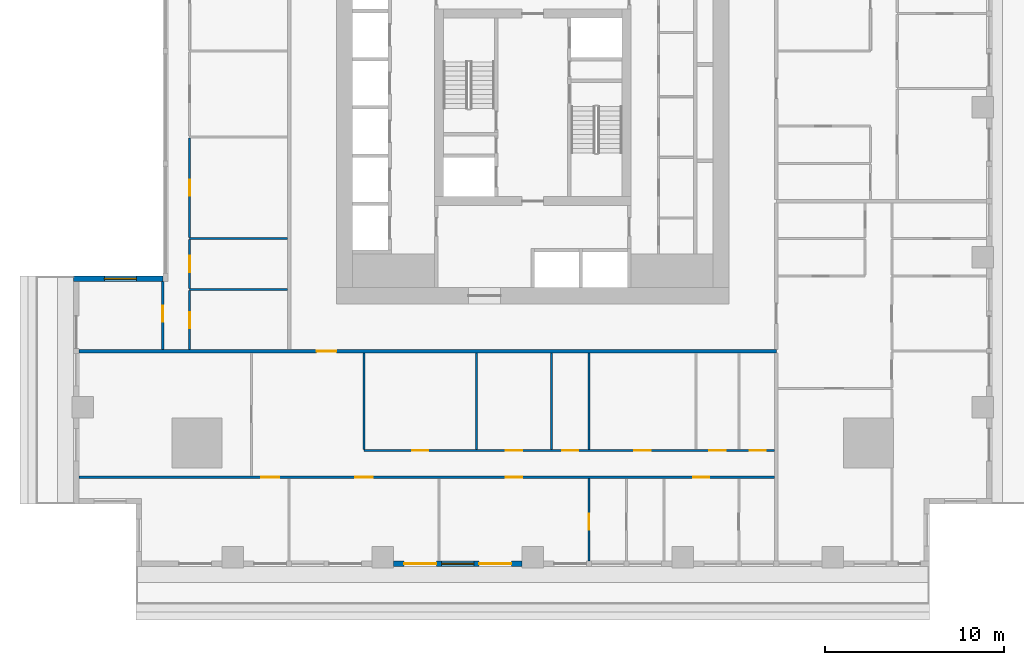
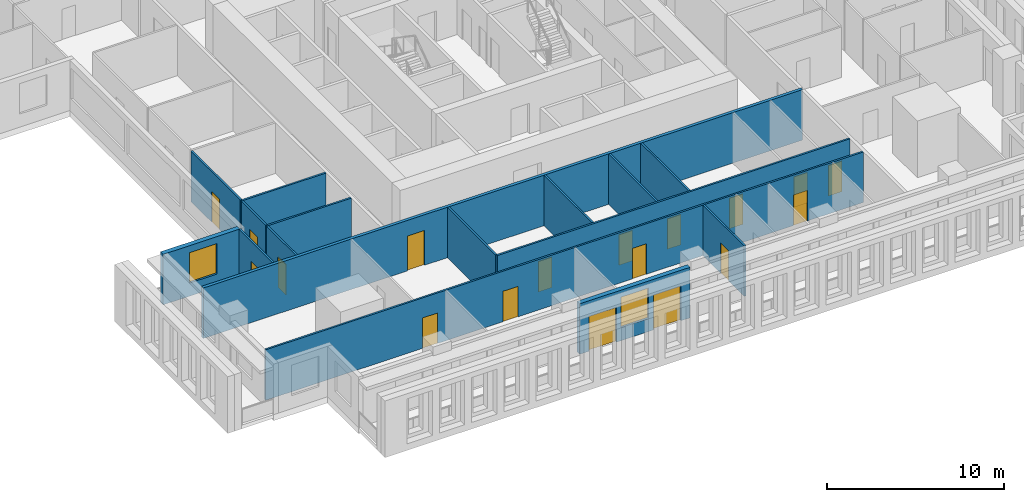
# One storey, part 2 of 14: 18 doors, 16 walls, 2 windows, 20 openings.
"""IFC4 building model written with IfcOpenShell, lengths in metres."""

from ifc_helpers import new_model, si_unit, direction, frame, frame_2d, origin, place, context, subcontext, project, spatial, rectangle, extrude, material, layer, layer_set, type_object, element, fill, save


model = new_model("IFC4")

# Units and contexts
model_context = context("Model", 3, precision=1e-05, world=origin(), true_north=direction((0.0, 1.0)))
body_context = subcontext(model_context, "Body", "Model", "MODEL_VIEW")
ifc_project = project(units=[si_unit("LENGTHUNIT", "METRE"), si_unit("AREAUNIT", "SQUARE_METRE"), si_unit("VOLUMEUNIT", "CUBIC_METRE"), si_unit("PLANEANGLEUNIT", "RADIAN"), si_unit("MASSUNIT", "GRAM", prefix="KILO")], contexts=[model_context])

# Site, building, storey
site_placement = place(None, origin())
site = spatial("IfcSite", under=ifc_project, at=site_placement, CompositionType="ELEMENT")
building_placement = place(site_placement, origin())
building = spatial("IfcBuilding", under=site, at=building_placement, Name="Khepri Terraces", CompositionType="ELEMENT")
storey_placement = place(building_placement, frame((0.0, 0.0, 106.5)))
storey = spatial("IfcBuildingStorey", under=building, at=storey_placement, Name="L25", CompositionType="ELEMENT", Elevation=106.5)

# Wall, opening, door
ifc_material_1 = material(Name="Fire-rated gypsum plasterboard partition, mineral wool")
ifc_layer_1 = layer(ifc_material_1, 0.199951171875, Name="Fire-rated gypsum plasterboard partition, mineral wool")
ifc_layer_set_1 = layer_set([ifc_layer_1], Name="Fire-rated gypsum plasterboard partition, mineral wool")
wall_type_1 = type_object("IfcWallType", Name="WL-CORR-200", PredefinedType="PARTITIONING", material=ifc_layer_set_1)
wall_1_placement = place(storey_placement, frame((-25.419921875, -13.64990234375, 0.0), z_axis=(0.0, 0.0, 1.0), x_axis=(1.0, 0.0, 0.0)))
wall_1 = element("IfcWall", 1, at=wall_1_placement, inside=storey, type_object=wall_type_1, Name="Partition P-021 L25", PredefinedType="PARTITIONING", context=body_context, shape_type="SweptSolid", body=[
    extrude(rectangle(XDim=39.06982421875, YDim=0.199951171875, at=frame_2d((19.534912109375, 0.0))), origin(), (0.0, 0.0, 1.0), 3.47998046875),
])
opening_1_placement = place(wall_1_placement, frame((13.320068359375, 0.0, 0.0)))
opening_1 = element("IfcOpeningElement", 2, at=opening_1_placement, cuts=wall_1, Name="Opening D1", PredefinedType="OPENING", context=body_context, shape_type="SweptSolid", body=[
    extrude(rectangle(XDim=1.10009765625, YDim=2.39990234375, at=frame_2d((0.550048828125, 1.199951171875))), frame((0.0, 0.10986328125, 0.0), z_axis=(0.0, -1.0, 0.0), x_axis=(1.0, 0.0, 0.0)), (0.0, 0.0, 1.0), 0.219970703125),
])
ifc_material_2 = material(Name="Solid-core timber door leaf, flat entrance door", Category="wood")
door_type_1 = type_object("IfcDoorType", Name="DR-ENT-1100", OperationType="NOTDEFINED", PredefinedType="DOOR", material=ifc_material_2)
door_1_placement = place(opening_1_placement, frame((1.10009765625, 0.0, 0.0), z_axis=(0.0, 0.0, 1.0), x_axis=(-1.0, 0.0, 0.0)))
door_1 = element("IfcDoor", 3, at=door_1_placement, inside=storey, type_object=door_type_1, Name="Flat A1 entrance door", OperationType="SINGLE_SWING_RIGHT", OverallHeight=2.39990234375, OverallWidth=1.10009765625, PredefinedType="DOOR", context=body_context, shape_type="SweptSolid", body=[
    extrude(rectangle(XDim=1.10009765625, YDim=2.39990234375, at=frame_2d((0.550048828125, 1.199951171875))), frame((0.0, 0.02490234375, 0.0), z_axis=(0.0, -1.0, 0.0), x_axis=(1.0, 0.0, 0.0)), (0.0, 0.0, 1.0), 0.050048828125),
])
fill(opening_1, door_1)

# Wall, opening, window
ifc_material_3 = material(Name="Precast concrete C50/60 warm stone", Category="masonry")
ifc_layer_2 = layer(ifc_material_3, 0.300048828125, Name="Precast concrete C50/60 warm stone", Category="masonry")
ifc_layer_set_2 = layer_set([ifc_layer_2], Name="Precast concrete C50/60 warm stone")
wall_type_2 = type_object("IfcWallType", Name="WL-EXT-PRECAST-300", PredefinedType="STANDARD", material=ifc_layer_set_2)
wall_2_placement = place(storey_placement, frame((-20.719970703125, -9.60009765625, 0.0), z_axis=(0.0, 0.0, 1.0), x_axis=(-1.0, 0.0, 0.0)))
wall_2 = element("IfcWall", 4, at=wall_2_placement, inside=storey, type_object=wall_type_2, Name="External wall L25 N", PredefinedType="STANDARD", context=body_context, shape_type="SweptSolid", body=[
    extrude(rectangle(XDim=5.0, YDim=0.300048828125, at=frame_2d((2.5, 0.0))), origin(), (0.0, 0.0, 1.0), 3.47998046875),
])
opening_2_placement = place(wall_2_placement, frame((1.47998046875, 0.0, 0.89990234375)))
opening_2 = element("IfcOpeningElement", 5, at=opening_2_placement, cuts=wall_2, Name="Opening W1", PredefinedType="OPENING", context=body_context, shape_type="SweptSolid", body=[
    extrude(rectangle(XDim=1.800048828125, YDim=2.10009765625, at=frame_2d((0.89990234375, 1.050048828125))), frame((0.0, 0.16015625, 0.0), z_axis=(0.0, -1.0, 0.0), x_axis=(1.0, 0.0, 0.0)), (0.0, 0.0, 1.0), 0.320068359375),
])
ifc_material_4 = material(Name="Clear glass", Category="glass")
window_type = type_object("IfcWindowType", Name="WIN-RES-1800x2100", PartitioningType="SINGLE_PANEL", PredefinedType="WINDOW", material=ifc_material_4)
window_1_placement = place(opening_2_placement, origin())
window_1 = element("IfcWindow", 6, at=window_1_placement, inside=storey, type_object=window_type, Name="Window L25 N", OverallHeight=2.10009765625, OverallWidth=1.800048828125, PartitioningType="SINGLE_PANEL", PredefinedType="WINDOW", context=body_context, shape_type="SweptSolid", body=[
    extrude(rectangle(XDim=1.800048828125, YDim=2.10009765625, at=frame_2d((0.89990234375, 1.050048828125))), frame((0.0, 0.030029296875, 0.0), z_axis=(0.0, -1.0, 0.0), x_axis=(1.0, 0.0, 0.0)), (0.0, 0.0, 1.0), 0.06005859375),
])
fill(opening_2, window_1)

# Wall, openings, doors, window
wall_3_placement = place(storey_placement, frame((-7.800048828125, -25.570068359375, 0.0), z_axis=(0.0, 0.0, 1.0), x_axis=(1.0, 0.0, 0.0)))
wall_3 = element("IfcWall", 7, at=wall_3_placement, inside=storey, type_object=wall_type_2, Name="External wall L25 S", PredefinedType="STANDARD", context=body_context, shape_type="SweptSolid", body=[
    extrude(rectangle(XDim=7.199951171875, YDim=0.300048828125, at=frame_2d((3.60009765625, 0.0))), origin(), (0.0, 0.0, 1.0), 3.47998046875),
])
opening_3_placement = place(wall_3_placement, frame((0.60009765625, 0.0, 0.0)))
opening_3 = element("IfcOpeningElement", 8, at=opening_3_placement, cuts=wall_3, Name="Opening ED-L25-19", PredefinedType="OPENING", context=body_context, shape_type="SweptSolid", body=[
    extrude(rectangle(XDim=1.800048828125, YDim=2.39990234375, at=frame_2d((0.89990234375, 1.199951171875))), frame((0.0, 0.16015625, 0.0), z_axis=(0.0, -1.0, 0.0), x_axis=(1.0, 0.0, 0.0)), (0.0, 0.0, 1.0), 0.320068359375),
])
opening_4_placement = place(wall_3_placement, frame((2.699951171875, 0.0, 0.89990234375)))
opening_4 = element("IfcOpeningElement", 9, at=opening_4_placement, cuts=wall_3, Name="Opening W1", PredefinedType="OPENING", context=body_context, shape_type="SweptSolid", body=[
    extrude(rectangle(XDim=1.800048828125, YDim=2.10009765625, at=frame_2d((0.89990234375, 1.050048828125))), frame((0.0, 0.16015625, 0.0), z_axis=(0.0, -1.0, 0.0), x_axis=(1.0, 0.0, 0.0)), (0.0, 0.0, 1.0), 0.320068359375),
])
opening_5_placement = place(wall_3_placement, frame((4.800048828125, 0.0, 0.0)))
opening_5 = element("IfcOpeningElement", 10, at=opening_5_placement, cuts=wall_3, Name="Opening ED-L25-20", PredefinedType="OPENING", context=body_context, shape_type="SweptSolid", body=[
    extrude(rectangle(XDim=1.800048828125, YDim=2.39990234375, at=frame_2d((0.89990234375, 1.199951171875))), frame((0.0, 0.16015625, 0.0), z_axis=(0.0, -1.0, 0.0), x_axis=(1.0, 0.0, 0.0)), (0.0, 0.0, 1.0), 0.320068359375),
])
ifc_material_5 = material(Name="Anodised aluminium bronze glazed door", Category="aluminium")
door_type_2 = type_object("IfcDoorType", Name="DR-BAL-SLIDE-1800x2400", OperationType="NOTDEFINED", PredefinedType="DOOR", material=ifc_material_5)
door_2_placement = place(opening_3_placement, origin())
door_2 = element("IfcDoor", 11, at=door_2_placement, inside=storey, type_object=door_type_2, Name="Balcony door L25 S", OperationType="SLIDING_TO_LEFT", OverallHeight=2.39990234375, OverallWidth=1.800048828125, PredefinedType="DOOR", context=body_context, shape_type="SweptSolid", body=[
    extrude(rectangle(XDim=1.800048828125, YDim=2.39990234375, at=frame_2d((0.89990234375, 1.199951171875))), frame((0.0, 0.02490234375, 0.0), z_axis=(0.0, -1.0, 0.0), x_axis=(1.0, 0.0, 0.0)), (0.0, 0.0, 1.0), 0.050048828125),
])
fill(opening_3, door_2)
door_3_placement = place(opening_5_placement, origin())
door_3 = element("IfcDoor", 12, at=door_3_placement, inside=storey, type_object=door_type_2, Name="Balcony door L25 S", OperationType="SLIDING_TO_RIGHT", OverallHeight=2.39990234375, OverallWidth=1.800048828125, PredefinedType="DOOR", context=body_context, shape_type="SweptSolid", body=[
    extrude(rectangle(XDim=1.800048828125, YDim=2.39990234375, at=frame_2d((0.89990234375, 1.199951171875))), frame((0.0, 0.02490234375, 0.0), z_axis=(0.0, -1.0, 0.0), x_axis=(1.0, 0.0, 0.0)), (0.0, 0.0, 1.0), 0.050048828125),
])
fill(opening_5, door_3)
window_2_placement = place(opening_4_placement, origin())
window_2 = element("IfcWindow", 13, at=window_2_placement, inside=storey, type_object=window_type, Name="Window L25 S", OverallHeight=2.10009765625, OverallWidth=1.800048828125, PartitioningType="SINGLE_PANEL", PredefinedType="WINDOW", context=body_context, shape_type="SweptSolid", body=[
    extrude(rectangle(XDim=1.800048828125, YDim=2.10009765625, at=frame_2d((0.89990234375, 1.050048828125))), frame((0.0, 0.030029296875, 0.0), z_axis=(0.0, -1.0, 0.0), x_axis=(1.0, 0.0, 0.0)), (0.0, 0.0, 1.0), 0.06005859375),
])
fill(opening_4, window_2)

# Wall, opening, door
ifc_material_6 = material(Name="Gypsum plasterboard partition")
ifc_layer_3 = layer(ifc_material_6, 0.1201171875, Name="Gypsum plasterboard partition")
ifc_layer_set_3 = layer_set([ifc_layer_3], Name="Gypsum plasterboard partition")
wall_type_3 = type_object("IfcWallType", Name="WL-PART-120", PredefinedType="PARTITIONING", material=ifc_layer_set_3)
wall_4_placement = place(storey_placement, frame((3.14990234375, -25.419921875, 0.0), z_axis=(0.0, 0.0, 1.0), x_axis=(0.0, 1.0, 0.0)))
wall_4 = element("IfcWall", 14, at=wall_4_placement, inside=storey, type_object=wall_type_3, Name="Partition P-003 L25", PredefinedType="PARTITIONING", context=body_context, shape_type="SweptSolid", body=[
    extrude(rectangle(XDim=4.639892578125, YDim=0.1201171875, at=frame_2d((2.31982421875, 0.0))), origin(), (0.0, 0.0, 1.0), 3.47998046875),
])
opening_6_placement = place(wall_4_placement, frame((1.75, 0.0, 0.0)))
opening_6 = element("IfcOpeningElement", 15, at=opening_6_placement, cuts=wall_4, Name="Opening D3", PredefinedType="OPENING", context=body_context, shape_type="SweptSolid", body=[
    extrude(rectangle(XDim=0.89990234375, YDim=2.10009765625, at=frame_2d((0.449951171875, 1.050048828125))), frame((0.0, 0.070068359375, 0.0), z_axis=(0.0, -1.0, 0.0), x_axis=(1.0, 0.0, 0.0)), (0.0, 0.0, 1.0), 0.14013671875),
])
ifc_material_7 = material(Name="Timber door leaf", Category="wood")
door_type_3 = type_object("IfcDoorType", Name="DR-INT-900", OperationType="NOTDEFINED", PredefinedType="DOOR", material=ifc_material_7)
door_4_placement = place(opening_6_placement, frame((0.89990234375, 0.0, 0.0), z_axis=(0.0, 0.0, 1.0), x_axis=(-1.0, 0.0, 0.0)))
door_4 = element("IfcDoor", 16, at=door_4_placement, inside=storey, type_object=door_type_3, Name="Door Dressing Room", OperationType="SINGLE_SWING_RIGHT", OverallHeight=2.10009765625, OverallWidth=0.89990234375, PredefinedType="DOOR", context=body_context, shape_type="SweptSolid", body=[
    extrude(rectangle(XDim=0.89990234375, YDim=2.10009765625, at=frame_2d((0.449951171875, 1.050048828125))), frame((0.0, 0.02490234375, 0.0), z_axis=(0.0, -1.0, 0.0), x_axis=(1.0, 0.0, 0.0)), (0.0, 0.0, 1.0), 0.050048828125),
])
fill(opening_6, door_4)

# Wall, openings, doors
wall_5_placement = place(storey_placement, frame((-25.419921875, -20.719970703125, 0.0), z_axis=(0.0, 0.0, 1.0), x_axis=(1.0, 0.0, 0.0)))
wall_5 = element("IfcWall", 17, at=wall_5_placement, inside=storey, type_object=wall_type_3, Name="Partition P-009 L25", PredefinedType="PARTITIONING", context=body_context, shape_type="SweptSolid", body=[
    extrude(rectangle(XDim=38.969970703125, YDim=0.1201171875, at=frame_2d((19.48486328125, 0.0))), origin(), (0.0, 0.0, 1.0), 3.47998046875),
])
opening_7_placement = place(wall_5_placement, frame((10.219970703125, 0.0, 0.0)))
opening_7 = element("IfcOpeningElement", 18, at=opening_7_placement, cuts=wall_5, Name="Opening D2", PredefinedType="OPENING", context=body_context, shape_type="SweptSolid", body=[
    extrude(rectangle(XDim=1.0, YDim=2.10009765625, at=frame_2d((0.5, 1.050048828125))), frame((0.0, 0.070068359375, 0.0), z_axis=(0.0, -1.0, 0.0), x_axis=(1.0, 0.0, 0.0)), (0.0, 0.0, 1.0), 0.14013671875),
])
opening_8_placement = place(wall_5_placement, frame((15.469970703125, 0.0, 0.0)))
opening_8 = element("IfcOpeningElement", 19, at=opening_8_placement, cuts=wall_5, Name="Opening D2", PredefinedType="OPENING", context=body_context, shape_type="SweptSolid", body=[
    extrude(rectangle(XDim=1.0, YDim=2.10009765625, at=frame_2d((0.5, 1.050048828125))), frame((0.0, 0.070068359375, 0.0), z_axis=(0.0, -1.0, 0.0), x_axis=(1.0, 0.0, 0.0)), (0.0, 0.0, 1.0), 0.14013671875),
])
opening_9_placement = place(wall_5_placement, frame((23.919921875, 0.0, 0.0)))
opening_9 = element("IfcOpeningElement", 20, at=opening_9_placement, cuts=wall_5, Name="Opening D3", PredefinedType="OPENING", context=body_context, shape_type="SweptSolid", body=[
    extrude(rectangle(XDim=0.89990234375, YDim=2.10009765625, at=frame_2d((0.449951171875, 1.050048828125))), frame((0.0, 0.070068359375, 0.0), z_axis=(0.0, -1.0, 0.0), x_axis=(1.0, 0.0, 0.0)), (0.0, 0.0, 1.0), 0.14013671875),
])
opening_10_placement = place(wall_5_placement, frame((34.419921875, 0.0, 0.0)))
opening_10 = element("IfcOpeningElement", 21, at=opening_10_placement, cuts=wall_5, Name="Opening D3", PredefinedType="OPENING", context=body_context, shape_type="SweptSolid", body=[
    extrude(rectangle(XDim=0.89990234375, YDim=2.10009765625, at=frame_2d((0.449951171875, 1.050048828125))), frame((0.0, 0.070068359375, 0.0), z_axis=(0.0, -1.0, 0.0), x_axis=(1.0, 0.0, 0.0)), (0.0, 0.0, 1.0), 0.14013671875),
])
ifc_material_8 = material(Name="Timber door leaf, living room door", Category="wood")
door_type_4 = type_object("IfcDoorType", Name="DR-INT-1000", OperationType="NOTDEFINED", PredefinedType="DOOR", material=ifc_material_8)
door_5_placement = place(opening_7_placement, frame((1.0, 0.0, 0.0), z_axis=(0.0, 0.0, 1.0), x_axis=(-1.0, 0.0, 0.0)))
door_5 = element("IfcDoor", 22, at=door_5_placement, inside=storey, type_object=door_type_4, Name="Door Sun Lounge", OperationType="SINGLE_SWING_RIGHT", OverallHeight=2.10009765625, OverallWidth=1.0, PredefinedType="DOOR", context=body_context, shape_type="SweptSolid", body=[
    extrude(rectangle(XDim=1.0, YDim=2.10009765625, at=frame_2d((0.5, 1.050048828125))), frame((0.0, 0.02490234375, 0.0), z_axis=(0.0, -1.0, 0.0), x_axis=(1.0, 0.0, 0.0)), (0.0, 0.0, 1.0), 0.050048828125),
])
fill(opening_7, door_5)
door_6_placement = place(opening_8_placement, frame((1.0, 0.0, 0.0), z_axis=(0.0, 0.0, 1.0), x_axis=(-1.0, 0.0, 0.0)))
door_6 = element("IfcDoor", 23, at=door_6_placement, inside=storey, type_object=door_type_4, Name="Door Living Room", OperationType="SINGLE_SWING_RIGHT", OverallHeight=2.10009765625, OverallWidth=1.0, PredefinedType="DOOR", context=body_context, shape_type="SweptSolid", body=[
    extrude(rectangle(XDim=1.0, YDim=2.10009765625, at=frame_2d((0.5, 1.050048828125))), frame((0.0, 0.02490234375, 0.0), z_axis=(0.0, -1.0, 0.0), x_axis=(1.0, 0.0, 0.0)), (0.0, 0.0, 1.0), 0.050048828125),
])
fill(opening_8, door_6)
door_7_placement = place(opening_9_placement, frame((0.89990234375, 0.0, 0.0), z_axis=(0.0, 0.0, 1.0), x_axis=(-1.0, 0.0, 0.0)))
door_7 = element("IfcDoor", 24, at=door_7_placement, inside=storey, type_object=door_type_3, Name="Door Master Bedroom", OperationType="SINGLE_SWING_LEFT", OverallHeight=2.10009765625, OverallWidth=0.89990234375, PredefinedType="DOOR", context=body_context, shape_type="SweptSolid", body=[
    extrude(rectangle(XDim=0.89990234375, YDim=2.10009765625, at=frame_2d((0.449951171875, 1.050048828125))), frame((0.0, 0.02490234375, 0.0), z_axis=(0.0, -1.0, 0.0), x_axis=(1.0, 0.0, 0.0)), (0.0, 0.0, 1.0), 0.050048828125),
])
fill(opening_9, door_7)
door_8_placement = place(opening_10_placement, frame((0.89990234375, 0.0, 0.0), z_axis=(0.0, 0.0, 1.0), x_axis=(-1.0, 0.0, 0.0)))
door_8 = element("IfcDoor", 25, at=door_8_placement, inside=storey, type_object=door_type_3, Name="Door Bedroom", OperationType="SINGLE_SWING_LEFT", OverallHeight=2.10009765625, OverallWidth=0.89990234375, PredefinedType="DOOR", context=body_context, shape_type="SweptSolid", body=[
    extrude(rectangle(XDim=0.89990234375, YDim=2.10009765625, at=frame_2d((0.449951171875, 1.050048828125))), frame((0.0, 0.02490234375, 0.0), z_axis=(0.0, -1.0, 0.0), x_axis=(1.0, 0.0, 0.0)), (0.0, 0.0, 1.0), 0.050048828125),
])
fill(opening_10, door_8)

wall_6_placement = place(storey_placement, frame((-9.449951171875, -19.219970703125, 0.0), z_axis=(0.0, 0.0, 1.0), x_axis=(1.0, 0.0, 0.0)))
wall_6 = element("IfcWall", 26, at=wall_6_placement, inside=storey, type_object=wall_type_3, Name="Partition P-011 L25", PredefinedType="PARTITIONING", context=body_context, shape_type="SweptSolid", body=[
    extrude(rectangle(XDim=23.0, YDim=0.1201171875, at=frame_2d((11.5, 0.0))), origin(), (0.0, 0.0, 1.0), 3.47998046875),
])
opening_11_placement = place(wall_6_placement, frame((2.699951171875, 0.0, 0.0)))
opening_11 = element("IfcOpeningElement", 27, at=opening_11_placement, cuts=wall_6, Name="Opening D3", PredefinedType="OPENING", context=body_context, shape_type="SweptSolid", body=[
    extrude(rectangle(XDim=0.89990234375, YDim=2.10009765625, at=frame_2d((0.449951171875, 1.050048828125))), frame((0.0, 0.070068359375, 0.0), z_axis=(0.0, -1.0, 0.0), x_axis=(1.0, 0.0, 0.0)), (0.0, 0.0, 1.0), 0.14013671875),
])
opening_12_placement = place(wall_6_placement, frame((7.949951171875, 0.0, 0.0)))
opening_12 = element("IfcOpeningElement", 28, at=opening_12_placement, cuts=wall_6, Name="Opening D3", PredefinedType="OPENING", context=body_context, shape_type="SweptSolid", body=[
    extrude(rectangle(XDim=0.89990234375, YDim=2.10009765625, at=frame_2d((0.449951171875, 1.050048828125))), frame((0.0, 0.070068359375, 0.0), z_axis=(0.0, -1.0, 0.0), x_axis=(1.0, 0.0, 0.0)), (0.0, 0.0, 1.0), 0.14013671875),
])
opening_13_placement = place(wall_6_placement, frame((11.10009765625, 0.0, 0.0)))
opening_13 = element("IfcOpeningElement", 29, at=opening_13_placement, cuts=wall_6, Name="Opening D4", PredefinedType="OPENING", context=body_context, shape_type="SweptSolid", body=[
    extrude(rectangle(XDim=0.89990234375, YDim=2.10009765625, at=frame_2d((0.449951171875, 1.050048828125))), frame((0.0, 0.070068359375, 0.0), z_axis=(0.0, -1.0, 0.0), x_axis=(1.0, 0.0, 0.0)), (0.0, 0.0, 1.0), 0.14013671875),
])
opening_14_placement = place(wall_6_placement, frame((15.14990234375, 0.0, 0.0)))
opening_14 = element("IfcOpeningElement", 30, at=opening_14_placement, cuts=wall_6, Name="Opening D3", PredefinedType="OPENING", context=body_context, shape_type="SweptSolid", body=[
    extrude(rectangle(XDim=0.89990234375, YDim=2.10009765625, at=frame_2d((0.449951171875, 1.050048828125))), frame((0.0, 0.070068359375, 0.0), z_axis=(0.0, -1.0, 0.0), x_axis=(1.0, 0.0, 0.0)), (0.0, 0.0, 1.0), 0.14013671875),
])
opening_15_placement = place(wall_6_placement, frame((19.35009765625, 0.0, 0.0)))
opening_15 = element("IfcOpeningElement", 31, at=opening_15_placement, cuts=wall_6, Name="Opening D4", PredefinedType="OPENING", context=body_context, shape_type="SweptSolid", body=[
    extrude(rectangle(XDim=0.89990234375, YDim=2.10009765625, at=frame_2d((0.449951171875, 1.050048828125))), frame((0.0, 0.070068359375, 0.0), z_axis=(0.0, -1.0, 0.0), x_axis=(1.0, 0.0, 0.0)), (0.0, 0.0, 1.0), 0.14013671875),
])
opening_16_placement = place(wall_6_placement, frame((21.60009765625, 0.0, 0.0)))
opening_16 = element("IfcOpeningElement", 32, at=opening_16_placement, cuts=wall_6, Name="Opening D3", PredefinedType="OPENING", context=body_context, shape_type="SweptSolid", body=[
    extrude(rectangle(XDim=0.89990234375, YDim=2.10009765625, at=frame_2d((0.449951171875, 1.050048828125))), frame((0.0, 0.070068359375, 0.0), z_axis=(0.0, -1.0, 0.0), x_axis=(1.0, 0.0, 0.0)), (0.0, 0.0, 1.0), 0.14013671875),
])
door_9_placement = place(opening_11_placement, origin())
door_9 = element("IfcDoor", 33, at=door_9_placement, inside=storey, type_object=door_type_3, Name="Door Kitchen", OperationType="SINGLE_SWING_LEFT", OverallHeight=2.10009765625, OverallWidth=0.89990234375, PredefinedType="DOOR", context=body_context, shape_type="SweptSolid", body=[
    extrude(rectangle(XDim=0.89990234375, YDim=2.10009765625, at=frame_2d((0.449951171875, 1.050048828125))), frame((0.0, 0.02490234375, 0.0), z_axis=(0.0, -1.0, 0.0), x_axis=(1.0, 0.0, 0.0)), (0.0, 0.0, 1.0), 0.050048828125),
])
fill(opening_11, door_9)
door_10_placement = place(opening_12_placement, origin())
door_10 = element("IfcDoor", 34, at=door_10_placement, inside=storey, type_object=door_type_3, Name="Door Utility Room", OperationType="SINGLE_SWING_LEFT", OverallHeight=2.10009765625, OverallWidth=0.89990234375, PredefinedType="DOOR", context=body_context, shape_type="SweptSolid", body=[
    extrude(rectangle(XDim=0.89990234375, YDim=2.10009765625, at=frame_2d((0.449951171875, 1.050048828125))), frame((0.0, 0.02490234375, 0.0), z_axis=(0.0, -1.0, 0.0), x_axis=(1.0, 0.0, 0.0)), (0.0, 0.0, 1.0), 0.050048828125),
])
fill(opening_12, door_10)
door_11_placement = place(opening_14_placement, origin())
door_11 = element("IfcDoor", 35, at=door_11_placement, inside=storey, type_object=door_type_3, Name="Door Staff Bedroom", OperationType="SINGLE_SWING_RIGHT", OverallHeight=2.10009765625, OverallWidth=0.89990234375, PredefinedType="DOOR", context=body_context, shape_type="SweptSolid", body=[
    extrude(rectangle(XDim=0.89990234375, YDim=2.10009765625, at=frame_2d((0.449951171875, 1.050048828125))), frame((0.0, 0.02490234375, 0.0), z_axis=(0.0, -1.0, 0.0), x_axis=(1.0, 0.0, 0.0)), (0.0, 0.0, 1.0), 0.050048828125),
])
fill(opening_14, door_11)
door_12_placement = place(opening_16_placement, origin())
door_12 = element("IfcDoor", 36, at=door_12_placement, inside=storey, type_object=door_type_3, Name="Door Utility Room", OperationType="SINGLE_SWING_RIGHT", OverallHeight=2.10009765625, OverallWidth=0.89990234375, PredefinedType="DOOR", context=body_context, shape_type="SweptSolid", body=[
    extrude(rectangle(XDim=0.89990234375, YDim=2.10009765625, at=frame_2d((0.449951171875, 1.050048828125))), frame((0.0, 0.02490234375, 0.0), z_axis=(0.0, -1.0, 0.0), x_axis=(1.0, 0.0, 0.0)), (0.0, 0.0, 1.0), 0.050048828125),
])
fill(opening_16, door_12)
ifc_material_9 = material(Name="Timber door leaf, moisture resistant", Category="wood")
door_type_5 = type_object("IfcDoorType", Name="DR-WET-900", OperationType="NOTDEFINED", PredefinedType="DOOR", material=ifc_material_9)
door_13_placement = place(opening_13_placement, origin())
door_13 = element("IfcDoor", 37, at=door_13_placement, inside=storey, type_object=door_type_5, Name="Door Powder Room", OperationType="SINGLE_SWING_RIGHT", OverallHeight=2.10009765625, OverallWidth=0.89990234375, PredefinedType="DOOR", context=body_context, shape_type="SweptSolid", body=[
    extrude(rectangle(XDim=0.89990234375, YDim=2.10009765625, at=frame_2d((0.449951171875, 1.050048828125))), frame((0.0, 0.02490234375, 0.0), z_axis=(0.0, -1.0, 0.0), x_axis=(1.0, 0.0, 0.0)), (0.0, 0.0, 1.0), 0.050048828125),
])
fill(opening_13, door_13)
door_14_placement = place(opening_15_placement, origin())
door_14 = element("IfcDoor", 38, at=door_14_placement, inside=storey, type_object=door_type_5, Name="Door Guest Bathroom", OperationType="SINGLE_SWING_RIGHT", OverallHeight=2.10009765625, OverallWidth=0.89990234375, PredefinedType="DOOR", context=body_context, shape_type="SweptSolid", body=[
    extrude(rectangle(XDim=0.89990234375, YDim=2.10009765625, at=frame_2d((0.449951171875, 1.050048828125))), frame((0.0, 0.02490234375, 0.0), z_axis=(0.0, -1.0, 0.0), x_axis=(1.0, 0.0, 0.0)), (0.0, 0.0, 1.0), 0.050048828125),
])
fill(opening_15, door_14)

# Walls
for number, where, z_axis, x_axis, name in (
    (39, (-9.449951171875, -19.159912109375, 0.0), (0.0, 0.0, 1.0), (0.0, 1.0, 0.0), "Partition P-012 L25"),
    (40, (-3.14990234375, -19.159912109375, 0.0), (0.0, 0.0, 1.0), (0.0, 1.0, 0.0), "Partition P-013 L25"),
    (41, (1.050048828125, -19.159912109375, 0.0), (0.0, 0.0, 1.0), (0.0, 1.0, 0.0), "Partition P-014 L25"),
    (42, (3.14990234375, -19.159912109375, 0.0), (0.0, 0.0, 1.0), (0.0, 1.0, 0.0), "Partition P-015 L25"),
):
    element("IfcWall", number, at=place(storey_placement, frame(where, z_axis=z_axis, x_axis=x_axis)), inside=storey, type_object=wall_type_3, Name=name, PredefinedType="PARTITIONING", context=body_context, shape_type="SweptSolid", body=[
        extrude(rectangle(XDim=5.409912109375, YDim=0.1201171875, at=frame_2d((2.705078125, 0.0))), origin(), (0.0, 0.0, 1.0), 3.47998046875),
    ])

# Wall, opening, door
wall_7_placement = place(storey_placement, frame((-20.719970703125, -13.550048828125, 0.0), z_axis=(0.0, 0.0, 1.0), x_axis=(0.0, 1.0, 0.0)))
wall_7 = element("IfcWall", 43, at=wall_7_placement, inside=storey, type_object=wall_type_3, Name="Partition P-024 L25", PredefinedType="PARTITIONING", context=body_context, shape_type="SweptSolid", body=[
    extrude(rectangle(XDim=3.800048828125, YDim=0.1201171875, at=frame_2d((1.89990234375, 0.0))), origin(), (0.0, 0.0, 1.0), 3.47998046875),
])
opening_17_placement = place(wall_7_placement, frame((1.550048828125, 0.0, 0.0)))
opening_17 = element("IfcOpeningElement", 44, at=opening_17_placement, cuts=wall_7, Name="Opening D3", PredefinedType="OPENING", context=body_context, shape_type="SweptSolid", body=[
    extrude(rectangle(XDim=0.89990234375, YDim=2.10009765625, at=frame_2d((0.449951171875, 1.050048828125))), frame((0.0, 0.070068359375, 0.0), z_axis=(0.0, -1.0, 0.0), x_axis=(1.0, 0.0, 0.0)), (0.0, 0.0, 1.0), 0.14013671875),
])
door_15_placement = place(opening_17_placement, origin())
door_15 = element("IfcDoor", 45, at=door_15_placement, inside=storey, type_object=door_type_3, Name="Door Study", OperationType="SINGLE_SWING_RIGHT", OverallHeight=2.10009765625, OverallWidth=0.89990234375, PredefinedType="DOOR", context=body_context, shape_type="SweptSolid", body=[
    extrude(rectangle(XDim=0.89990234375, YDim=2.10009765625, at=frame_2d((0.449951171875, 1.050048828125))), frame((0.0, 0.02490234375, 0.0), z_axis=(0.0, -1.0, 0.0), x_axis=(1.0, 0.0, 0.0)), (0.0, 0.0, 1.0), 0.050048828125),
])
fill(opening_17, door_15)

wall_8_placement = place(storey_placement, frame((-19.219970703125, -13.550048828125, 0.0), z_axis=(0.0, 0.0, 1.0), x_axis=(0.0, 1.0, 0.0)))
wall_8 = element("IfcWall", 46, at=wall_8_placement, inside=storey, type_object=wall_type_3, Name="Partition P-025 L25", PredefinedType="PARTITIONING", context=body_context, shape_type="SweptSolid", body=[
    extrude(rectangle(XDim=3.2900390625, YDim=0.1201171875, at=frame_2d((1.64501953125, 0.0))), origin(), (0.0, 0.0, 1.0), 3.47998046875),
])
opening_18_placement = place(wall_8_placement, frame((1.175048828125, 0.0, 0.0)))
opening_18 = element("IfcOpeningElement", 47, at=opening_18_placement, cuts=wall_8, Name="Opening D4", PredefinedType="OPENING", context=body_context, shape_type="SweptSolid", body=[
    extrude(rectangle(XDim=0.89990234375, YDim=2.10009765625, at=frame_2d((0.449951171875, 1.050048828125))), frame((0.0, 0.070068359375, 0.0), z_axis=(0.0, -1.0, 0.0), x_axis=(1.0, 0.0, 0.0)), (0.0, 0.0, 1.0), 0.14013671875),
])
door_16_placement = place(opening_18_placement, frame((0.89990234375, 0.0, 0.0), z_axis=(0.0, 0.0, 1.0), x_axis=(-1.0, 0.0, 0.0)))
door_16 = element("IfcDoor", 48, at=door_16_placement, inside=storey, type_object=door_type_5, Name="Door Guest Bathroom", OperationType="SINGLE_SWING_RIGHT", OverallHeight=2.10009765625, OverallWidth=0.89990234375, PredefinedType="DOOR", context=body_context, shape_type="SweptSolid", body=[
    extrude(rectangle(XDim=0.89990234375, YDim=2.10009765625, at=frame_2d((0.449951171875, 1.050048828125))), frame((0.0, 0.02490234375, 0.0), z_axis=(0.0, -1.0, 0.0), x_axis=(1.0, 0.0, 0.0)), (0.0, 0.0, 1.0), 0.050048828125),
])
fill(opening_18, door_16)

# Wall
wall_9_placement = place(storey_placement, frame((-19.219970703125, -10.199951171875, 0.0), z_axis=(0.0, 0.0, 1.0), x_axis=(1.0, 0.0, 0.0)))
element("IfcWall", 49, at=wall_9_placement, inside=storey, type_object=wall_type_3, Name="Partition P-028 L25", PredefinedType="PARTITIONING", context=body_context, shape_type="SweptSolid", body=[
    extrude(rectangle(XDim=5.469970703125, YDim=0.1201171875, at=frame_2d((2.73486328125, 0.0))), origin(), (0.0, 0.0, 1.0), 3.47998046875),
])

# Wall, opening, door
wall_10_placement = place(storey_placement, frame((-19.219970703125, -10.139892578125, 0.0), z_axis=(0.0, 0.0, 1.0), x_axis=(0.0, 1.0, 0.0)))
wall_10 = element("IfcWall", 50, at=wall_10_placement, inside=storey, type_object=wall_type_3, Name="Partition P-029 L25", PredefinedType="PARTITIONING", context=body_context, shape_type="SweptSolid", body=[
    extrude(rectangle(XDim=2.72998046875, YDim=0.1201171875, at=frame_2d((1.364990234375, 0.0))), origin(), (0.0, 0.0, 1.0), 3.47998046875),
])
opening_19_placement = place(wall_10_placement, frame((0.9150390625, 0.0, 0.0)))
opening_19 = element("IfcOpeningElement", 51, at=opening_19_placement, cuts=wall_10, Name="Opening D4", PredefinedType="OPENING", context=body_context, shape_type="SweptSolid", body=[
    extrude(rectangle(XDim=0.89990234375, YDim=2.10009765625, at=frame_2d((0.449951171875, 1.050048828125))), frame((0.0, 0.070068359375, 0.0), z_axis=(0.0, -1.0, 0.0), x_axis=(1.0, 0.0, 0.0)), (0.0, 0.0, 1.0), 0.14013671875),
])
door_17_placement = place(opening_19_placement, frame((0.89990234375, 0.0, 0.0), z_axis=(0.0, 0.0, 1.0), x_axis=(-1.0, 0.0, 0.0)))
door_17 = element("IfcDoor", 52, at=door_17_placement, inside=storey, type_object=door_type_5, Name="Door Powder Room", OperationType="SINGLE_SWING_LEFT", OverallHeight=2.10009765625, OverallWidth=0.89990234375, PredefinedType="DOOR", context=body_context, shape_type="SweptSolid", body=[
    extrude(rectangle(XDim=0.89990234375, YDim=2.10009765625, at=frame_2d((0.449951171875, 1.050048828125))), frame((0.0, 0.02490234375, 0.0), z_axis=(0.0, -1.0, 0.0), x_axis=(1.0, 0.0, 0.0)), (0.0, 0.0, 1.0), 0.050048828125),
])
fill(opening_19, door_17)

# Wall
wall_11_placement = place(storey_placement, frame((-19.219970703125, -7.35009765625, 0.0), z_axis=(0.0, 0.0, 1.0), x_axis=(1.0, 0.0, 0.0)))
element("IfcWall", 53, at=wall_11_placement, inside=storey, type_object=wall_type_3, Name="Partition P-034 L25", PredefinedType="PARTITIONING", context=body_context, shape_type="SweptSolid", body=[
    extrude(rectangle(XDim=5.469970703125, YDim=0.1201171875, at=frame_2d((2.73486328125, 0.0))), origin(), (0.0, 0.0, 1.0), 3.47998046875),
])

# Wall, opening, door
wall_12_placement = place(storey_placement, frame((-19.219970703125, -7.2900390625, 0.0), z_axis=(0.0, 0.0, 1.0), x_axis=(0.0, 1.0, 0.0)))
wall_12 = element("IfcWall", 54, at=wall_12_placement, inside=storey, type_object=wall_type_3, Name="Partition P-037 L25", PredefinedType="PARTITIONING", context=body_context, shape_type="SweptSolid", body=[
    extrude(rectangle(XDim=5.580078125, YDim=0.1201171875, at=frame_2d((2.7900390625, 0.0))), origin(), (0.0, 0.0, 1.0), 3.47998046875),
])
opening_20_placement = place(wall_12_placement, frame((2.340087890625, 0.0, 0.0)))
opening_20 = element("IfcOpeningElement", 55, at=opening_20_placement, cuts=wall_12, Name="Opening D3", PredefinedType="OPENING", context=body_context, shape_type="SweptSolid", body=[
    extrude(rectangle(XDim=0.89990234375, YDim=2.10009765625, at=frame_2d((0.449951171875, 1.050048828125))), frame((0.0, 0.070068359375, 0.0), z_axis=(0.0, -1.0, 0.0), x_axis=(1.0, 0.0, 0.0)), (0.0, 0.0, 1.0), 0.14013671875),
])
door_18_placement = place(opening_20_placement, frame((0.89990234375, 0.0, 0.0), z_axis=(0.0, 0.0, 1.0), x_axis=(-1.0, 0.0, 0.0)))
door_18 = element("IfcDoor", 56, at=door_18_placement, inside=storey, type_object=door_type_3, Name="Door Staff Bedroom", OperationType="SINGLE_SWING_LEFT", OverallHeight=2.10009765625, OverallWidth=0.89990234375, PredefinedType="DOOR", context=body_context, shape_type="SweptSolid", body=[
    extrude(rectangle(XDim=0.89990234375, YDim=2.10009765625, at=frame_2d((0.449951171875, 1.050048828125))), frame((0.0, 0.02490234375, 0.0), z_axis=(0.0, -1.0, 0.0), x_axis=(1.0, 0.0, 0.0)), (0.0, 0.0, 1.0), 0.050048828125),
])
fill(opening_20, door_18)

save(model, "model.ifc")
